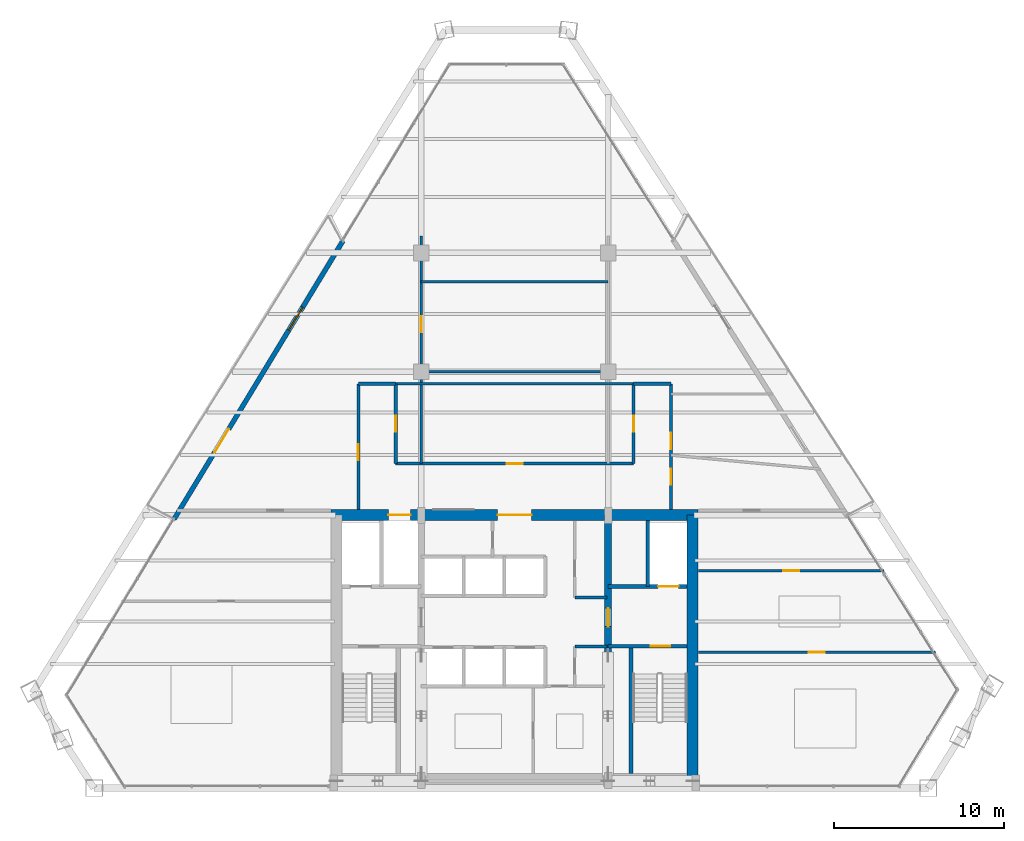
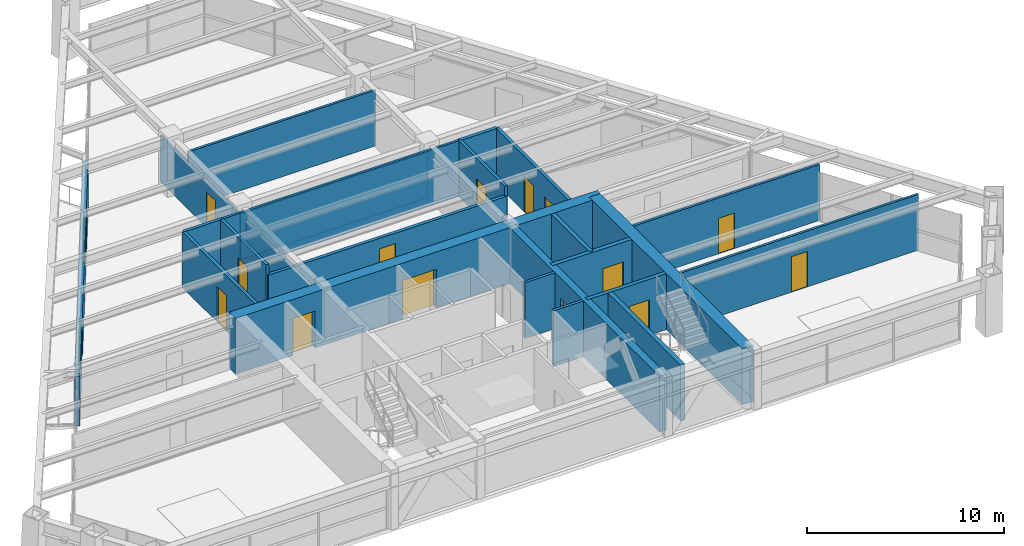
# One storey, part 9 of 12: 23 walls, 15 doors, 1 window, 16 openings.
"""IFC4 building model written with IfcOpenShell, lengths in metres."""

from ifc_helpers import new_model, si_unit, direction, frame, frame_2d, origin, place, context, subcontext, project, spatial, rectangle, extrude, source, transform, mapped, material, layer, layer_set, type_object, type_shapes, element, fill, save


model = new_model("IFC4")

# Units and contexts
model_context = context("Model", 3, precision=1e-05, world=origin(), true_north=direction((0.0, 1.0)))
body_context = subcontext(model_context, "Body", "Model", "MODEL_VIEW")
ifc_project = project(units=[si_unit("LENGTHUNIT", "METRE"), si_unit("AREAUNIT", "SQUARE_METRE"), si_unit("VOLUMEUNIT", "CUBIC_METRE"), si_unit("PLANEANGLEUNIT", "RADIAN"), si_unit("MASSUNIT", "GRAM", prefix="KILO")], contexts=[model_context])

# Site, building, storey
site_placement = place(None, origin())
site = spatial("IfcSite", under=ifc_project, at=site_placement, CompositionType="ELEMENT")
building_placement = place(site_placement, origin())
building = spatial("IfcBuilding", under=site, at=building_placement, Name="Varnakhor Terracotta Tower", CompositionType="ELEMENT")
storey_placement = place(building_placement, frame((0.0, 0.0, 208.0)))
storey = spatial("IfcBuildingStorey", under=building, at=storey_placement, Name="L53", CompositionType="ELEMENT", Elevation=208.0)

# Wall, openings, doors
ifc_material_1 = material(Name="Concrete C50/60", Category="concrete")
ifc_layer_1 = layer(ifc_material_1, 0.64990234375, Name="Concrete C50/60")
ifc_layer_set_1 = layer_set([ifc_layer_1], Name="Concrete C50/60")
wall_type_1 = type_object("IfcWallType", Name="WAL-CORE-650", PredefinedType="SHEAR", material=ifc_layer_set_1)
wall_1_placement = place(storey_placement, frame((-10.800048828125, 16.074951171875, 0.0), z_axis=(0.0, 0.0, 1.0), x_axis=(1.0, 0.0, 0.0)))
wall_1 = element("IfcWall", 1, at=wall_1_placement, inside=storey, type_object=wall_type_1, Name="L53 North Core Shear Wall", PredefinedType="SHEAR", context=body_context, shape_type="SweptSolid", body=[
    extrude(rectangle(XDim=21.60009765625, YDim=0.64990234375, at=frame_2d((10.800048828125, 0.0))), origin(), (0.0, 0.0, 1.0), 3.469970703125),
])
opening_1_placement = place(wall_1_placement, frame((3.3701171875, 0.0, 0.0)))
opening_1 = element("IfcOpeningElement", 2, at=opening_1_placement, cuts=wall_1, Name="Opening LD-03", PredefinedType="OPENING", context=body_context, shape_type="SweptSolid", body=[
    extrude(rectangle(XDim=1.300048828125, YDim=2.300048828125, at=frame_2d((0.64990234375, 1.14990234375))), frame((0.0, 0.3349609375, 0.0), z_axis=(0.0, -1.0, 0.0), x_axis=(1.0, 0.0, 0.0)), (0.0, 0.0, 1.0), 0.669921875),
])
opening_2_placement = place(wall_1_placement, frame((9.800048828125, 0.0, 0.0)))
opening_2 = element("IfcOpeningElement", 3, at=opening_2_placement, cuts=wall_1, Name="Opening DR-32", PredefinedType="OPENING", context=body_context, shape_type="SweptSolid", body=[
    extrude(rectangle(XDim=2.0, YDim=2.39990234375, at=frame_2d((1.0, 1.199951171875))), frame((0.0, 0.3349609375, 0.0), z_axis=(0.0, -1.0, 0.0), x_axis=(1.0, 0.0, 0.0)), (0.0, 0.0, 1.0), 0.669921875),
])
ifc_material_2 = material(Name="Heavy-Duty Goods Sliding Lift Landing Door", Category="steel")
door_type_1 = type_object("IfcDoorType", Name="LD-SRV-1300X2300", OperationType="NOTDEFINED", PredefinedType="DOOR", material=ifc_material_2)
shared_shape_1 = source(origin(), body_context, "Body", "SweptSolid", [
    extrude(rectangle(XDim=1.300048828125, YDim=2.300048828125, at=frame_2d((0.64990234375, 1.14990234375))), frame((0.0, 0.02490234375, 0.0), z_axis=(0.0, -1.0, 0.0), x_axis=(1.0, 0.0, 0.0)), (0.0, 0.0, 1.0), 0.050048828125),
])
type_shapes(door_type_1, [shared_shape_1])
door_1_placement = place(opening_1_placement, origin())
door_1 = element("IfcDoor", 4, at=door_1_placement, inside=storey, type_object=door_type_1, Name="L53 Service Lift SVL-1 Landing Door", OperationType="SLIDING_TO_RIGHT", OverallHeight=2.300048828125, OverallWidth=1.300048828125, PredefinedType="DOOR", context=body_context, shape_type="MappedRepresentation", body=[
    mapped(shared_shape_1, transform((0.0, 0.0, 0.0), scale=1.0)),
])
fill(opening_1, door_1)
ifc_material_3 = material(Name="Acoustic Double Assembly Fire Door", Category="wood")
door_type_2 = type_object("IfcDoorType", Name="DR-HALL-2000X2400", OperationType="NOTDEFINED", PredefinedType="DOOR", material=ifc_material_3)
shared_shape_2 = source(origin(), body_context, "Body", "SweptSolid", [
    extrude(rectangle(XDim=2.0, YDim=2.39990234375, at=frame_2d((1.0, 1.199951171875))), frame((0.0, 0.02490234375, 0.0), z_axis=(0.0, -1.0, 0.0), x_axis=(1.0, 0.0, 0.0)), (0.0, 0.0, 1.0), 0.050048828125),
])
type_shapes(door_type_2, [shared_shape_2])
door_2_placement = place(opening_2_placement, origin())
door_2 = element("IfcDoor", 5, at=door_2_placement, inside=storey, type_object=door_type_2, Name="L53 Core Main Lobby Double Door", OperationType="DOUBLE_DOOR_SINGLE_SWING", OverallHeight=2.39990234375, OverallWidth=2.0, PredefinedType="DOOR", context=body_context, shape_type="MappedRepresentation", body=[
    mapped(shared_shape_2, transform((0.0, 0.0, 0.0), scale=1.0)),
])
fill(opening_2, door_2)

# Wall
wall_2_placement = place(storey_placement, frame((10.47509765625, 0.52490234375, 0.0), z_axis=(0.0, 0.0, 1.0), x_axis=(0.0, 1.0, 0.0)))
element("IfcWall", 6, at=wall_2_placement, inside=storey, type_object=wall_type_1, Name="L53 East Core Shear Wall", PredefinedType="SHEAR", context=body_context, shape_type="SweptSolid", body=[
    extrude(rectangle(XDim=15.550048828125, YDim=0.64990234375, at=frame_2d((7.77490234375, 0.0))), origin(), (0.0, 0.0, 1.0), 3.469970703125),
])

# Wall, opening, door
ifc_layer_2 = layer(ifc_material_1, 0.39990234375, Name="Concrete C50/60")
ifc_layer_set_2 = layer_set([ifc_layer_2], Name="Concrete C50/60")
wall_type_2 = type_object("IfcWallType", Name="WAL-CORE-WEB-400", PredefinedType="SHEAR", material=ifc_layer_set_2)
wall_3_placement = place(storey_placement, frame((5.5, 0.52490234375, 0.0), z_axis=(0.0, 0.0, 1.0), x_axis=(0.0, 1.0, 0.0)))
wall_3 = element("IfcWall", 7, at=wall_3_placement, inside=storey, type_object=wall_type_2, Name="L53 East Core Web Shear Wall", PredefinedType="SHEAR", context=body_context, shape_type="SweptSolid", body=[
    extrude(rectangle(XDim=15.550048828125, YDim=0.39990234375, at=frame_2d((7.77490234375, 0.0))), origin(), (0.0, 0.0, 1.0), 3.469970703125),
])
opening_3_placement = place(wall_3_placement, frame((8.97509765625, 0.0, 0.0)))
opening_3 = element("IfcOpeningElement", 8, at=opening_3_placement, cuts=wall_3, Name="Opening DR-25", PredefinedType="OPENING", context=body_context, shape_type="SweptSolid", body=[
    extrude(rectangle(XDim=1.10009765625, YDim=2.199951171875, at=frame_2d((0.550048828125, 1.10009765625))), frame((0.0, 0.2099609375, 0.0), z_axis=(0.0, -1.0, 0.0), x_axis=(1.0, 0.0, 0.0)), (0.0, 0.0, 1.0), 0.419921875),
])
ifc_material_4 = material(Name="Firefighting Lobby Self-Closing Fire Door", Category="steel")
door_type_3 = type_object("IfcDoorType", Name="DR-FFL-1100X2200", OperationType="NOTDEFINED", PredefinedType="DOOR", material=ifc_material_4)
shared_shape_3 = source(origin(), body_context, "Body", "SweptSolid", [
    extrude(rectangle(XDim=1.10009765625, YDim=2.199951171875, at=frame_2d((0.550048828125, 1.10009765625))), frame((0.0, 0.02490234375, 0.0), z_axis=(0.0, -1.0, 0.0), x_axis=(1.0, 0.0, 0.0)), (0.0, 0.0, 1.0), 0.050048828125),
])
type_shapes(door_type_3, [shared_shape_3])
door_3_placement = place(opening_3_placement, origin())
door_3 = element("IfcDoor", 9, at=door_3_placement, inside=storey, type_object=door_type_3, Name="L53 East Firefighting Lobby Door", OperationType="SINGLE_SWING_LEFT", OverallHeight=2.199951171875, OverallWidth=1.10009765625, PredefinedType="DOOR", context=body_context, shape_type="MappedRepresentation", body=[
    mapped(shared_shape_3, transform((0.0, 0.0, 0.0), scale=1.0)),
])
fill(opening_3, door_3)

ifc_material_5 = material(Name="Fire-Rated Gypsum Stud Partition", Category="gypsum")
ifc_layer_3 = layer(ifc_material_5, 0.18505859375, Name="Fire-Rated Gypsum Stud Partition")
ifc_layer_set_3 = layer_set([ifc_layer_3], Name="Fire-Rated Gypsum Stud Partition")
wall_type_3 = type_object("IfcWallType", Name="WAL-CORR-185", PredefinedType="PARTITIONING", material=ifc_layer_set_3)
wall_4_placement = place(storey_placement, frame((-7.0, 19.10009765625, 0.0), z_axis=(0.0, 0.0, 1.0), x_axis=(1.0, 0.0, 0.0)))
wall_4 = element("IfcWall", 10, at=wall_4_placement, inside=storey, type_object=wall_type_3, Name="L53 Central Gallery Link Wall", PredefinedType="PARTITIONING", context=body_context, shape_type="SweptSolid", body=[
    extrude(rectangle(XDim=14.0, YDim=0.18505859375, at=frame_2d((7.0, 0.0))), origin(), (0.0, 0.0, 1.0), 2.845947265625),
])
opening_4_placement = place(wall_4_placement, frame((6.52490234375, 0.0, 0.0)))
opening_4 = element("IfcOpeningElement", 11, at=opening_4_placement, cuts=wall_4, Name="Opening DR-94", PredefinedType="OPENING", context=body_context, shape_type="SweptSolid", body=[
    extrude(rectangle(XDim=0.949951171875, YDim=2.199951171875, at=frame_2d((0.47509765625, 1.10009765625))), frame((0.0, 0.1025390625, 0.0), z_axis=(0.0, -1.0, 0.0), x_axis=(1.0, 0.0, 0.0)), (0.0, 0.0, 1.0), 0.205078125),
])
ifc_material_6 = material(Name="Acoustic Glazed-Vision Timber Office Door", Category="wood")
door_type_4 = type_object("IfcDoorType", Name="DR-OFF-950X2200", OperationType="NOTDEFINED", PredefinedType="DOOR", material=ifc_material_6)
shared_shape_4 = source(origin(), body_context, "Body", "SweptSolid", [
    extrude(rectangle(XDim=0.949951171875, YDim=2.199951171875, at=frame_2d((0.47509765625, 1.10009765625))), frame((0.0, 0.02490234375, 0.0), z_axis=(0.0, -1.0, 0.0), x_axis=(1.0, 0.0, 0.0)), (0.0, 0.0, 1.0), 0.050048828125),
])
type_shapes(door_type_4, [shared_shape_4])
door_4_placement = place(opening_4_placement, origin())
door_4 = element("IfcDoor", 12, at=door_4_placement, inside=storey, type_object=door_type_4, Name="L53 Center Suite Door", OperationType="SINGLE_SWING_LEFT", OverallHeight=2.199951171875, OverallWidth=0.949951171875, PredefinedType="DOOR", context=body_context, shape_type="MappedRepresentation", body=[
    mapped(shared_shape_4, transform((0.0, 0.0, 0.0), scale=1.0)),
])
fill(opening_4, door_4)

wall_5_placement = place(storey_placement, frame((-7.0, 19.10009765625, 0.0), z_axis=(0.0, 0.0, 1.0), x_axis=(0.0, 1.0, 0.0)))
wall_5 = element("IfcWall", 13, at=wall_5_placement, inside=storey, type_object=wall_type_3, Name="L53 West Gallery Inner Wall", PredefinedType="PARTITIONING", context=body_context, shape_type="SweptSolid", body=[
    extrude(rectangle(XDim=4.699951171875, YDim=0.18505859375, at=frame_2d((2.35009765625, 0.0))), origin(), (0.0, 0.0, 1.0), 3.4619140625),
])
opening_5_placement = place(wall_5_placement, frame((1.875, 0.0, 0.0)))
opening_5 = element("IfcOpeningElement", 14, at=opening_5_placement, cuts=wall_5, Name="Opening DR-94", PredefinedType="OPENING", context=body_context, shape_type="SweptSolid", body=[
    extrude(rectangle(XDim=0.949951171875, YDim=2.199951171875, at=frame_2d((0.47509765625, 1.10009765625))), frame((0.0, 0.1025390625, 0.0), z_axis=(0.0, -1.0, 0.0), x_axis=(1.0, 0.0, 0.0)), (0.0, 0.0, 1.0), 0.205078125),
])
door_5_placement = place(opening_5_placement, origin())
door_5 = element("IfcDoor", 15, at=door_5_placement, inside=storey, type_object=door_type_4, Name="L53 Counsel Study Room B9 Door", OperationType="SINGLE_SWING_RIGHT", OverallHeight=2.199951171875, OverallWidth=0.949951171875, PredefinedType="DOOR", context=body_context, shape_type="MappedRepresentation", body=[
    mapped(shared_shape_4, transform((0.0, 0.0, 0.0), scale=1.0)),
])
fill(opening_5, door_5)

wall_6_placement = place(storey_placement, frame((7.0, 19.10009765625, 0.0), z_axis=(0.0, 0.0, 1.0), x_axis=(0.0, 1.0, 0.0)))
wall_6 = element("IfcWall", 16, at=wall_6_placement, inside=storey, type_object=wall_type_3, Name="L53 East Gallery Inner Wall", PredefinedType="PARTITIONING", context=body_context, shape_type="SweptSolid", body=[
    extrude(rectangle(XDim=4.699951171875, YDim=0.18505859375, at=frame_2d((2.35009765625, 0.0))), origin(), (0.0, 0.0, 1.0), 3.4619140625),
])
opening_6_placement = place(wall_6_placement, frame((1.875, 0.0, 0.0)))
opening_6 = element("IfcOpeningElement", 17, at=opening_6_placement, cuts=wall_6, Name="Opening DR-94", PredefinedType="OPENING", context=body_context, shape_type="SweptSolid", body=[
    extrude(rectangle(XDim=0.949951171875, YDim=2.199951171875, at=frame_2d((0.47509765625, 1.10009765625))), frame((0.0, 0.1025390625, 0.0), z_axis=(0.0, -1.0, 0.0), x_axis=(1.0, 0.0, 0.0)), (0.0, 0.0, 1.0), 0.205078125),
])
door_6_placement = place(opening_6_placement, origin())
door_6 = element("IfcDoor", 18, at=door_6_placement, inside=storey, type_object=door_type_4, Name="L53 Arbitration Meeting Room 2 B11 Door", OperationType="SINGLE_SWING_LEFT", OverallHeight=2.199951171875, OverallWidth=0.949951171875, PredefinedType="DOOR", context=body_context, shape_type="MappedRepresentation", body=[
    mapped(shared_shape_4, transform((0.0, 0.0, 0.0), scale=1.0)),
])
fill(opening_6, door_6)

wall_7_placement = place(storey_placement, frame((-9.199951171875, 16.39990234375, 0.0), z_axis=(0.0, 0.0, 1.0), x_axis=(0.0, 1.0, 0.0)))
wall_7 = element("IfcWall", 19, at=wall_7_placement, inside=storey, type_object=wall_type_3, Name="L53 West Gallery Outer Wall", PredefinedType="PARTITIONING", context=body_context, shape_type="SweptSolid", body=[
    extrude(rectangle(XDim=7.400146484375, YDim=0.18505859375, at=frame_2d((3.7001953125, 0.0))), origin(), (0.0, 0.0, 1.0), 3.4619140625),
])
opening_7_placement = place(wall_7_placement, frame((2.888916015625, 0.0, 0.0)))
opening_7 = element("IfcOpeningElement", 20, at=opening_7_placement, cuts=wall_7, Name="Opening DR-94", PredefinedType="OPENING", context=body_context, shape_type="SweptSolid", body=[
    extrude(rectangle(XDim=0.949951171875, YDim=2.199951171875, at=frame_2d((0.47509765625, 1.10009765625))), frame((0.0, 0.1025390625, 0.0), z_axis=(0.0, -1.0, 0.0), x_axis=(1.0, 0.0, 0.0)), (0.0, 0.0, 1.0), 0.205078125),
])
door_7_placement = place(opening_7_placement, origin())
door_7 = element("IfcDoor", 21, at=door_7_placement, inside=storey, type_object=door_type_4, Name="L53 West Wing Door", OperationType="SINGLE_SWING_RIGHT", OverallHeight=2.199951171875, OverallWidth=0.949951171875, PredefinedType="DOOR", context=body_context, shape_type="MappedRepresentation", body=[
    mapped(shared_shape_4, transform((0.0, 0.0, 0.0), scale=1.0)),
])
fill(opening_7, door_7)

# Wall, openings, doors
wall_8_placement = place(storey_placement, frame((9.199951171875, 16.39990234375, 0.0), z_axis=(0.0, 0.0, 1.0), x_axis=(0.0, 1.0, 0.0)))
wall_8 = element("IfcWall", 22, at=wall_8_placement, inside=storey, type_object=wall_type_3, Name="L53 East Gallery Outer Wall", PredefinedType="PARTITIONING", context=body_context, shape_type="SweptSolid", body=[
    extrude(rectangle(XDim=7.400146484375, YDim=0.18505859375, at=frame_2d((3.7001953125, 0.0))), origin(), (0.0, 0.0, 1.0), 3.4619140625),
])
opening_8_placement = place(wall_8_placement, frame((3.56103515625, 0.0, 0.0)))
opening_8 = element("IfcOpeningElement", 23, at=opening_8_placement, cuts=wall_8, Name="Opening DR-94", PredefinedType="OPENING", context=body_context, shape_type="SweptSolid", body=[
    extrude(rectangle(XDim=0.949951171875, YDim=2.199951171875, at=frame_2d((0.47509765625, 1.10009765625))), frame((0.0, 0.1025390625, 0.0), z_axis=(0.0, -1.0, 0.0), x_axis=(1.0, 0.0, 0.0)), (0.0, 0.0, 1.0), 0.205078125),
])
opening_9_placement = place(wall_8_placement, frame((1.457275390625, 0.0, 0.0)))
opening_9 = element("IfcOpeningElement", 24, at=opening_9_placement, cuts=wall_8, Name="Opening DR-94", PredefinedType="OPENING", context=body_context, shape_type="SweptSolid", body=[
    extrude(rectangle(XDim=0.949951171875, YDim=2.199951171875, at=frame_2d((0.47509765625, 1.10009765625))), frame((0.0, 0.1025390625, 0.0), z_axis=(0.0, -1.0, 0.0), x_axis=(1.0, 0.0, 0.0)), (0.0, 0.0, 1.0), 0.205078125),
])
door_8_placement = place(opening_8_placement, origin())
door_8 = element("IfcDoor", 25, at=door_8_placement, inside=storey, type_object=door_type_4, Name="L53 East Wing Door", OperationType="SINGLE_SWING_LEFT", OverallHeight=2.199951171875, OverallWidth=0.949951171875, PredefinedType="DOOR", context=body_context, shape_type="MappedRepresentation", body=[
    mapped(shared_shape_4, transform((0.0, 0.0, 0.0), scale=1.0)),
])
fill(opening_8, door_8)
door_9_placement = place(opening_9_placement, origin())
door_9 = element("IfcDoor", 26, at=door_9_placement, inside=storey, type_object=door_type_4, Name="L53 Wellness Gym B6 Door", OperationType="SINGLE_SWING_LEFT", OverallHeight=2.199951171875, OverallWidth=0.949951171875, PredefinedType="DOOR", context=body_context, shape_type="MappedRepresentation", body=[
    mapped(shared_shape_4, transform((0.0, 0.0, 0.0), scale=1.0)),
])
fill(opening_9, door_9)

# Walls
for number, where, z_axis, x_axis, name in (
    (27, (-9.199951171875, 23.800048828125, 0.0), (0.0, 0.0, 1.0), (1.0, 0.0, 0.0), "L53 West Gallery North End"),
    (28, (7.0, 23.800048828125, 0.0), (0.0, 0.0, 1.0), (1.0, 0.0, 0.0), "L53 East Gallery North End"),
):
    element("IfcWall", number, at=place(storey_placement, frame(where, z_axis=z_axis, x_axis=x_axis)), inside=storey, type_object=wall_type_3, Name=name, PredefinedType="PARTITIONING", context=body_context, shape_type="SweptSolid", body=[
        extrude(rectangle(XDim=2.199951171875, YDim=0.18505859375, at=frame_2d((1.10009765625, 0.0))), origin(), (0.0, 0.0, 1.0), 3.4619140625),
    ])

# Wall, openings, door, window
ifc_material_7 = material(Name="Extruded Architectural Terracotta Assembly", Category="masonry")
ifc_layer_4 = layer(ifc_material_7, 0.280029296875, Name="Extruded Architectural Terracotta Assembly")
ifc_layer_set_4 = layer_set([ifc_layer_4], Name="Extruded Architectural Terracotta Assembly")
wall_type_4 = type_object("IfcWallType", Name="WAL-EXT-TERRACOTTA-280", PredefinedType="SOLIDWALL", material=ifc_layer_set_4)
wall_9_placement = place(storey_placement, frame((-20.04833984375, 15.833251953125, 0.0), z_axis=(0.0, 0.0, 1.0), x_axis=(0.518922930311, 0.854821029455, 0.0)))
wall_9 = element("IfcWall", 29, at=wall_9_placement, inside=storey, type_object=wall_type_4, Name="L53 W Loggia Insulated Terracotta Wall", PredefinedType="SOLIDWALL", context=body_context, shape_type="SweptSolid", body=[
    extrude(rectangle(XDim=19.15771484375, YDim=0.280029296875, at=frame_2d((9.578857421875, 0.0))), origin(), (0.0, 0.0, 1.0), 3.050048828125),
])
opening_10_placement = place(wall_9_placement, frame((4.597900390625, 0.0, 0.0)))
opening_10 = element("IfcOpeningElement", 30, at=opening_10_placement, cuts=wall_9, Name="Opening DR-62", PredefinedType="OPENING", context=body_context, shape_type="SweptSolid", body=[
    extrude(rectangle(XDim=1.60009765625, YDim=2.35009765625, at=frame_2d((0.800048828125, 1.175048828125))), frame((0.0, 0.14990234375, 0.0), z_axis=(0.0, -1.0, 0.0), x_axis=(1.0, 0.0, 0.0)), (0.0, 0.0, 1.0), 0.300048828125),
])
opening_11_placement = place(wall_9_placement, frame((13.027099609375, 0.0, 0.89990234375)))
opening_11 = element("IfcOpeningElement", 31, at=opening_11_placement, cuts=wall_9, Name="Opening WN-57", PredefinedType="OPENING", context=body_context, shape_type="SweptSolid", body=[
    extrude(rectangle(XDim=1.550048828125, YDim=1.85009765625, at=frame_2d((0.77490234375, 0.925048828125))), frame((0.0, 0.14990234375, 0.0), z_axis=(0.0, -1.0, 0.0), x_axis=(1.0, 0.0, 0.0)), (0.0, 0.0, 1.0), 0.300048828125),
])
ifc_material_8 = material(Name="Thermally Broken Sliding Glass Loggia Door", Category="glass")
door_type_5 = type_object("IfcDoorType", Name="DR-EXT-LOGGIA-1600X2350", OperationType="NOTDEFINED", PredefinedType="DOOR", material=ifc_material_8)
shared_shape_5 = source(origin(), body_context, "Body", "SweptSolid", [
    extrude(rectangle(XDim=1.60009765625, YDim=2.35009765625, at=frame_2d((0.800048828125, 1.175048828125))), frame((0.0, 0.02490234375, 0.0), z_axis=(0.0, -1.0, 0.0), x_axis=(1.0, 0.0, 0.0)), (0.0, 0.0, 1.0), 0.050048828125),
])
type_shapes(door_type_5, [shared_shape_5])
door_10_placement = place(opening_10_placement, origin())
door_10 = element("IfcDoor", 32, at=door_10_placement, inside=storey, type_object=door_type_5, Name="L53 W Recessed Loggia Sliding Door", OperationType="SLIDING_TO_LEFT", OverallHeight=2.35009765625, OverallWidth=1.60009765625, PredefinedType="DOOR", context=body_context, shape_type="MappedRepresentation", body=[
    mapped(shared_shape_5, transform((0.0, 0.0, 0.0), scale=1.0)),
])
fill(opening_10, door_10)
ifc_material_9 = material(Name="Solar-Control Low-E Insulated Glass Unit", Category="glass")
window_type = type_object("IfcWindowType", Name="WIN-OFF-1650X2100", PartitioningType="SINGLE_PANEL", PredefinedType="WINDOW", material=ifc_material_9)
shared_shape_6 = source(origin(), body_context, "Body", "SweptSolid", [
    extrude(rectangle(XDim=1.550048828125, YDim=1.85009765625, at=frame_2d((0.77490234375, 0.925048828125))), frame((0.0, 0.030029296875, 0.0), z_axis=(0.0, -1.0, 0.0), x_axis=(1.0, 0.0, 0.0)), (0.0, 0.0, 1.0), 0.06005859375),
])
type_shapes(window_type, [shared_shape_6])
window_placement = place(opening_11_placement, origin())
window = element("IfcWindow", 33, at=window_placement, inside=storey, type_object=window_type, Name="L53 W Facet Punched Window", OverallHeight=1.85009765625, OverallWidth=1.550048828125, PartitioningType="SINGLE_PANEL", PredefinedType="WINDOW", context=body_context, shape_type="MappedRepresentation", body=[
    mapped(shared_shape_6, transform((0.0, 0.0, 0.0), scale=1.0)),
])
fill(opening_11, window)

# Wall, opening, door
ifc_material_10 = material(Name="Concrete C40/50", Category="concrete")
ifc_layer_5 = layer(ifc_material_10, 0.219970703125, Name="Concrete C40/50")
ifc_layer_set_5 = layer_set([ifc_layer_5], Name="Concrete C40/50")
wall_type_5 = type_object("IfcWallType", Name="WAL-FFLOBBY-220", PredefinedType="SOLIDWALL", material=ifc_layer_set_5)
wall_10_placement = place(storey_placement, frame((10.14990234375, 8.35009765625, 0.0), z_axis=(0.0, 0.0, 1.0), x_axis=(-1.0, 0.0, 0.0)))
wall_10 = element("IfcWall", 34, at=wall_10_placement, inside=storey, type_object=wall_type_5, Name="L53 East Firefighting Lobby Stair Wall", PredefinedType="SOLIDWALL", context=body_context, shape_type="SweptSolid", body=[
    extrude(rectangle(XDim=4.64990234375, YDim=0.219970703125, at=frame_2d((2.324951171875, 0.0))), origin(), (0.0, 0.0, 1.0), 3.469970703125),
])
opening_12_placement = place(wall_10_placement, frame((1.0, 0.0, 0.0)))
opening_12 = element("IfcOpeningElement", 35, at=opening_12_placement, cuts=wall_10, Name="Opening DR-34", PredefinedType="OPENING", context=body_context, shape_type="SweptSolid", body=[
    extrude(rectangle(XDim=1.14990234375, YDim=2.199951171875, at=frame_2d((0.574951171875, 1.10009765625))), frame((0.0, 0.1201171875, 0.0), z_axis=(0.0, -1.0, 0.0), x_axis=(1.0, 0.0, 0.0)), (0.0, 0.0, 1.0), 0.239990234375),
])
ifc_material_11 = material(Name="Self-Closing Smoke-Sealed Steel Fire Door", Category="steel")
door_type_6 = type_object("IfcDoorType", Name="DR-STAIR-1150X2200", OperationType="NOTDEFINED", PredefinedType="DOOR", material=ifc_material_11)
shared_shape_7 = source(origin(), body_context, "Body", "SweptSolid", [
    extrude(rectangle(XDim=1.14990234375, YDim=2.199951171875, at=frame_2d((0.574951171875, 1.10009765625))), frame((0.0, 0.02490234375, 0.0), z_axis=(0.0, -1.0, 0.0), x_axis=(1.0, 0.0, 0.0)), (0.0, 0.0, 1.0), 0.050048828125),
])
type_shapes(door_type_6, [shared_shape_7])
door_11_placement = place(opening_12_placement, origin())
door_11 = element("IfcDoor", 36, at=door_11_placement, inside=storey, type_object=door_type_6, Name="L53 Exit Stair ST-2 Fire Door", OperationType="SINGLE_SWING_RIGHT", OverallHeight=2.199951171875, OverallWidth=1.14990234375, PredefinedType="DOOR", context=body_context, shape_type="MappedRepresentation", body=[
    mapped(shared_shape_7, transform((0.0, 0.0, 0.0), scale=1.0)),
])
fill(opening_12, door_11)

# Wall
ifc_material_12 = material(Name="Acoustic Metal-Stud Partition", Category="gypsum")
ifc_layer_6 = layer(ifc_material_12, 0.139892578125, Name="Acoustic Metal-Stud Partition")
ifc_layer_set_6 = layer_set([ifc_layer_6], Name="Acoustic Metal-Stud Partition")
wall_type_6 = type_object("IfcWallType", Name="WAL-PART-140", PredefinedType="PARTITIONING", material=ifc_layer_set_6)
wall_11_placement = place(storey_placement, frame((-7.0, 23.800048828125, 0.0), z_axis=(0.0, 0.0, 1.0), x_axis=(1.0, 0.0, 0.0)))
element("IfcWall", 37, at=wall_11_placement, inside=storey, type_object=wall_type_6, Name="L53 Gallery Center Cap Wall", PredefinedType="PARTITIONING", context=body_context, shape_type="SweptSolid", body=[
    extrude(rectangle(XDim=14.0, YDim=0.139892578125, at=frame_2d((7.0, 0.0))), origin(), (0.0, 0.0, 1.0), 3.4619140625),
])

# Wall, opening, door
wall_12_placement = place(storey_placement, frame((-5.5, 19.10009765625, 0.0), z_axis=(0.0, 0.0, 1.0), x_axis=(0.0, 1.0, 0.0)))
wall_12 = element("IfcWall", 38, at=wall_12_placement, inside=storey, type_object=wall_type_6, Name="L53 Center West Column Wall", PredefinedType="PARTITIONING", context=body_context, shape_type="SweptSolid", body=[
    extrude(rectangle(XDim=13.39990234375, YDim=0.139892578125, at=frame_2d((6.699951171875, 0.0))), origin(), (0.0, 0.0, 1.0), 2.845947265625),
])
opening_13_placement = place(wall_12_placement, frame((7.736083984375, 0.0, 0.0)))
opening_13 = element("IfcOpeningElement", 39, at=opening_13_placement, cuts=wall_12, Name="Opening DR-94", PredefinedType="OPENING", context=body_context, shape_type="SweptSolid", body=[
    extrude(rectangle(XDim=0.949951171875, YDim=2.199951171875, at=frame_2d((0.47509765625, 1.10009765625))), frame((0.0, 0.080078125, 0.0), z_axis=(0.0, -1.0, 0.0), x_axis=(1.0, 0.0, 0.0)), (0.0, 0.0, 1.0), 0.159912109375),
])
door_12_placement = place(opening_13_placement, origin())
door_12 = element("IfcDoor", 40, at=door_12_placement, inside=storey, type_object=door_type_4, Name="L53 Visitor Reception Door", OperationType="SINGLE_SWING_RIGHT", OverallHeight=2.199951171875, OverallWidth=0.949951171875, PredefinedType="DOOR", context=body_context, shape_type="MappedRepresentation", body=[
    mapped(shared_shape_4, transform((0.0, 0.0, 0.0), scale=1.0)),
])
fill(opening_13, door_12)

# Walls
wall_13_placement = place(storey_placement, frame((-5.5, 24.5, 0.0), z_axis=(0.0, 0.0, 1.0), x_axis=(1.0, 0.0, 0.0)))
element("IfcWall", 41, at=wall_13_placement, inside=storey, type_object=wall_type_6, Name="L53 Center Cross Cut 1", PredefinedType="PARTITIONING", context=body_context, shape_type="SweptSolid", body=[
    extrude(rectangle(XDim=11.0, YDim=0.139892578125, at=frame_2d((5.5, 0.0))), origin(), (0.0, 0.0, 1.0), 2.845947265625),
])
wall_14_placement = place(storey_placement, frame((-5.5, 29.800048828125, 0.0), z_axis=(0.0, 0.0, 1.0), x_axis=(1.0, 0.0, 0.0)))
element("IfcWall", 42, at=wall_14_placement, inside=storey, type_object=wall_type_6, Name="L53 Center Cross Cut 2", PredefinedType="PARTITIONING", context=body_context, shape_type="SweptSolid", body=[
    extrude(rectangle(XDim=11.0, YDim=0.139892578125, at=frame_2d((5.5, 0.0))), origin(), (0.0, 0.0, 1.0), 3.4619140625),
])

# Wall, opening, door
wall_15_placement = place(storey_placement, frame((10.820068359375, 8.0, 0.0), z_axis=(0.0, 0.0, 1.0), x_axis=(1.0, 0.0, 0.0)))
wall_15 = element("IfcWall", 43, at=wall_15_placement, inside=storey, type_object=wall_type_6, Name="L53 East Wing Cut 1", PredefinedType="PARTITIONING", context=body_context, shape_type="SweptSolid", body=[
    extrude(rectangle(XDim=13.95263671875, YDim=0.139892578125, at=frame_2d((6.976318359375, 0.0))), origin(), (0.0, 0.0, 1.0), 3.4619140625),
])
opening_14_placement = place(wall_15_placement, frame((6.494140625, 0.0, 0.0)))
opening_14 = element("IfcOpeningElement", 44, at=opening_14_placement, cuts=wall_15, Name="Opening DR-94", PredefinedType="OPENING", context=body_context, shape_type="SweptSolid", body=[
    extrude(rectangle(XDim=0.949951171875, YDim=2.199951171875, at=frame_2d((0.47509765625, 1.10009765625))), frame((0.0, 0.080078125, 0.0), z_axis=(0.0, -1.0, 0.0), x_axis=(1.0, 0.0, 0.0)), (0.0, 0.0, 1.0), 0.159912109375),
])
door_13_placement = place(opening_14_placement, origin())
door_13 = element("IfcDoor", 45, at=door_13_placement, inside=storey, type_object=door_type_4, Name="L53 Training Meeting Room 1 SE Door", OperationType="SINGLE_SWING_RIGHT", OverallHeight=2.199951171875, OverallWidth=0.949951171875, PredefinedType="DOOR", context=body_context, shape_type="MappedRepresentation", body=[
    mapped(shared_shape_4, transform((0.0, 0.0, 0.0), scale=1.0)),
])
fill(opening_14, door_13)

wall_16_placement = place(storey_placement, frame((10.820068359375, 12.800048828125, 0.0), z_axis=(0.0, 0.0, 1.0), x_axis=(1.0, 0.0, 0.0)))
wall_16 = element("IfcWall", 46, at=wall_16_placement, inside=storey, type_object=wall_type_6, Name="L53 East Wing Cut 2", PredefinedType="PARTITIONING", context=body_context, shape_type="SweptSolid", body=[
    extrude(rectangle(XDim=10.92919921875, YDim=0.139892578125, at=frame_2d((5.464599609375, 0.0))), origin(), (0.0, 0.0, 1.0), 3.4619140625),
])
opening_15_placement = place(wall_16_placement, frame((4.982421875, 0.0, 0.0)))
opening_15 = element("IfcOpeningElement", 47, at=opening_15_placement, cuts=wall_16, Name="Opening DR-94", PredefinedType="OPENING", context=body_context, shape_type="SweptSolid", body=[
    extrude(rectangle(XDim=0.949951171875, YDim=2.199951171875, at=frame_2d((0.47509765625, 1.10009765625))), frame((0.0, 0.080078125, 0.0), z_axis=(0.0, -1.0, 0.0), x_axis=(1.0, 0.0, 0.0)), (0.0, 0.0, 1.0), 0.159912109375),
])
door_14_placement = place(opening_15_placement, origin())
door_14 = element("IfcDoor", 48, at=door_14_placement, inside=storey, type_object=door_type_4, Name="L53 Pantry Kitchen 1 B3 Door", OperationType="SINGLE_SWING_LEFT", OverallHeight=2.199951171875, OverallWidth=0.949951171875, PredefinedType="DOOR", context=body_context, shape_type="MappedRepresentation", body=[
    mapped(shared_shape_4, transform((0.0, 0.0, 0.0), scale=1.0)),
])
fill(opening_15, door_14)

# Walls
ifc_layer_7 = layer(ifc_material_10, 0.219970703125, Name="Concrete C40/50")
ifc_layer_set_7 = layer_set([ifc_layer_7], Name="Concrete C40/50")
wall_type_7 = type_object("IfcWallType", Name="WAL-SHAFT-220", PredefinedType="SOLIDWALL", material=ifc_layer_set_7)
wall_17_placement = place(storey_placement, frame((7.840087890625, 11.8701171875, 0.0), z_axis=(0.0, 0.0, 1.0), x_axis=(0.0, 1.0, 0.0)))
element("IfcWall", 49, at=wall_17_placement, inside=storey, type_object=wall_type_7, Name="L53 Lift FFL-2 and Riser Divider Wall", PredefinedType="SOLIDWALL", context=body_context, shape_type="SweptSolid", body=[
    extrude(rectangle(XDim=3.8798828125, YDim=0.219970703125, at=frame_2d((1.93994140625, 0.0))), origin(), (0.0, 0.0, 1.0), 3.469970703125),
])
ifc_layer_8 = layer(ifc_material_10, 0.25, Name="Concrete C40/50")
ifc_layer_set_8 = layer_set([ifc_layer_8], Name="Concrete C40/50")
wall_type_8 = type_object("IfcWallType", Name="WAL-SHAFT-250", PredefinedType="SOLIDWALL", material=ifc_layer_set_8)
wall_18_placement = place(storey_placement, frame((6.85009765625, 0.85009765625, 0.0), z_axis=(0.0, 0.0, 1.0), x_axis=(0.0, 1.0, 0.0)))
element("IfcWall", 50, at=wall_18_placement, inside=storey, type_object=wall_type_8, Name="L53 Stair ST-2 Bearing Shaft Wall", PredefinedType="SOLIDWALL", context=body_context, shape_type="SweptSolid", body=[
    extrude(rectangle(XDim=7.5, YDim=0.25, at=frame_2d((3.75, 0.0))), origin(), (0.0, 0.0, 1.0), 3.469970703125),
])

# Wall, opening, door
wall_19_placement = place(storey_placement, frame((10.14990234375, 11.8701171875, 0.0), z_axis=(0.0, 0.0, 1.0), x_axis=(-1.0, 0.0, 0.0)))
wall_19 = element("IfcWall", 51, at=wall_19_placement, inside=storey, type_object=wall_type_8, Name="L53 Lift FFL-2 Shaft Front Wall", PredefinedType="SOLIDWALL", context=body_context, shape_type="SweptSolid", body=[
    extrude(rectangle(XDim=4.64990234375, YDim=0.25, at=frame_2d((2.324951171875, 0.0))), origin(), (0.0, 0.0, 1.0), 3.469970703125),
])
opening_16_placement = place(wall_19_placement, frame((0.5, 0.0, 0.0)))
opening_16 = element("IfcOpeningElement", 52, at=opening_16_placement, cuts=wall_19, Name="Opening LD-02", PredefinedType="OPENING", context=body_context, shape_type="SweptSolid", body=[
    extrude(rectangle(XDim=1.199951171875, YDim=2.25, at=frame_2d((0.60009765625, 1.125))), frame((0.0, 0.135009765625, 0.0), z_axis=(0.0, -1.0, 0.0), x_axis=(1.0, 0.0, 0.0)), (0.0, 0.0, 1.0), 0.27001953125),
])
ifc_material_13 = material(Name="Firefighting Stretcher Sliding Lift Landing Door", Category="steel")
door_type_7 = type_object("IfcDoorType", Name="LD-FFL-1200X2250", OperationType="NOTDEFINED", PredefinedType="DOOR", material=ifc_material_13)
shared_shape_8 = source(origin(), body_context, "Body", "SweptSolid", [
    extrude(rectangle(XDim=1.199951171875, YDim=2.25, at=frame_2d((0.60009765625, 1.125))), frame((0.0, 0.02490234375, 0.0), z_axis=(0.0, -1.0, 0.0), x_axis=(1.0, 0.0, 0.0)), (0.0, 0.0, 1.0), 0.050048828125),
])
type_shapes(door_type_7, [shared_shape_8])
door_15_placement = place(opening_16_placement, origin())
door_15 = element("IfcDoor", 53, at=door_15_placement, inside=storey, type_object=door_type_7, Name="L53 Firefighting Lift FFL-2 Landing Door", OperationType="SLIDING_TO_RIGHT", OverallHeight=2.25, OverallWidth=1.199951171875, PredefinedType="DOOR", context=body_context, shape_type="MappedRepresentation", body=[
    mapped(shared_shape_8, transform((0.0, 0.0, 0.0), scale=1.0)),
])
fill(opening_16, door_15)

# Walls
ifc_material_14 = material(Name="Acoustic Fire-Rated Partition", Category="gypsum")
ifc_layer_9 = layer(ifc_material_14, 0.1650390625, Name="Acoustic Fire-Rated Partition")
ifc_layer_set_9 = layer_set([ifc_layer_9], Name="Acoustic Fire-Rated Partition")
wall_type_9 = type_object("IfcWallType", Name="WAL-TENANCY-165", PredefinedType="PARTITIONING", material=ifc_layer_set_9)
for number, where, z_axis, x_axis, name in (
    (54, (3.5400390625, 8.340087890625, 0.0), (0.0, 0.0, 1.0), (1.0, 0.0, 0.0), "L53 Accessible WC North Wall"),
    (55, (3.5400390625, 11.219970703125, 0.0), (0.0, 0.0, 1.0), (1.0, 0.0, 0.0), "L53 Restroom South Wall"),
):
    element("IfcWall", number, at=place(storey_placement, frame(where, z_axis=z_axis, x_axis=x_axis)), inside=storey, type_object=wall_type_9, Name=name, PredefinedType="PARTITIONING", context=body_context, shape_type="SweptSolid", body=[
        extrude(rectangle(XDim=1.8798828125, YDim=0.1650390625, at=frame_2d((0.93994140625, 0.0))), origin(), (0.0, 0.0, 1.0), 3.4619140625),
    ])

save(model, "model.ifc")
